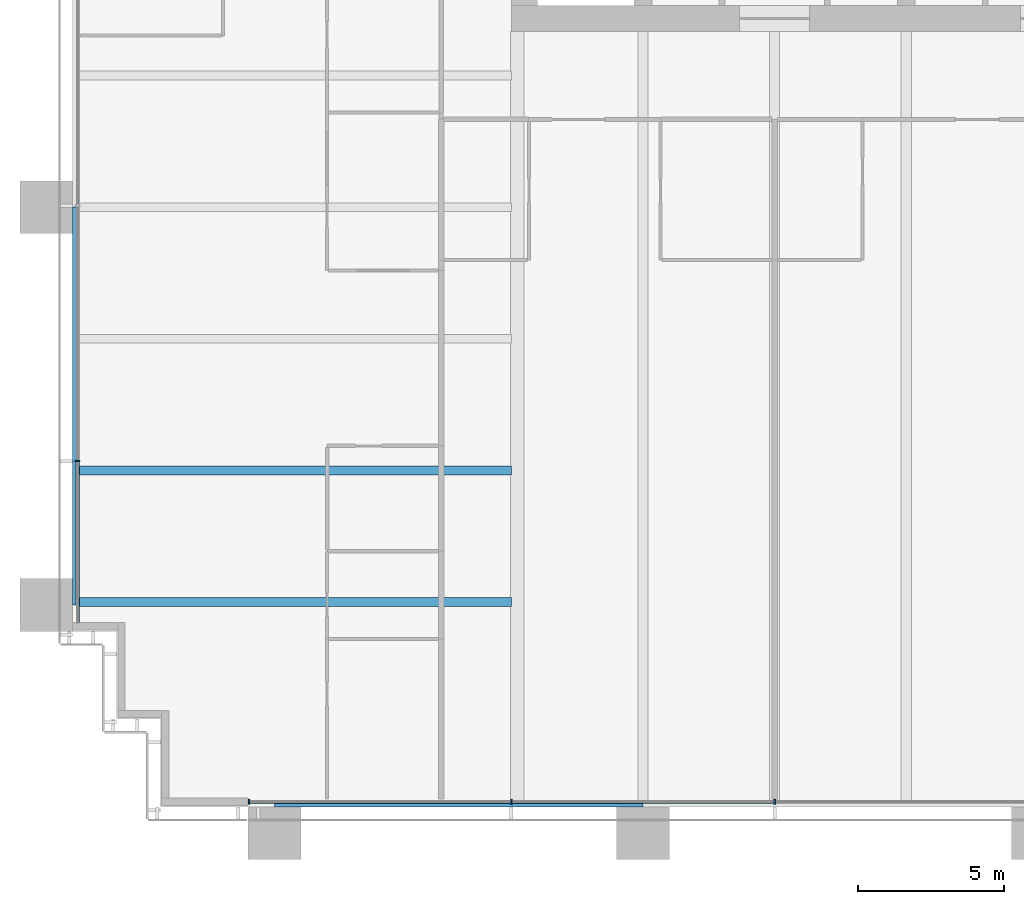
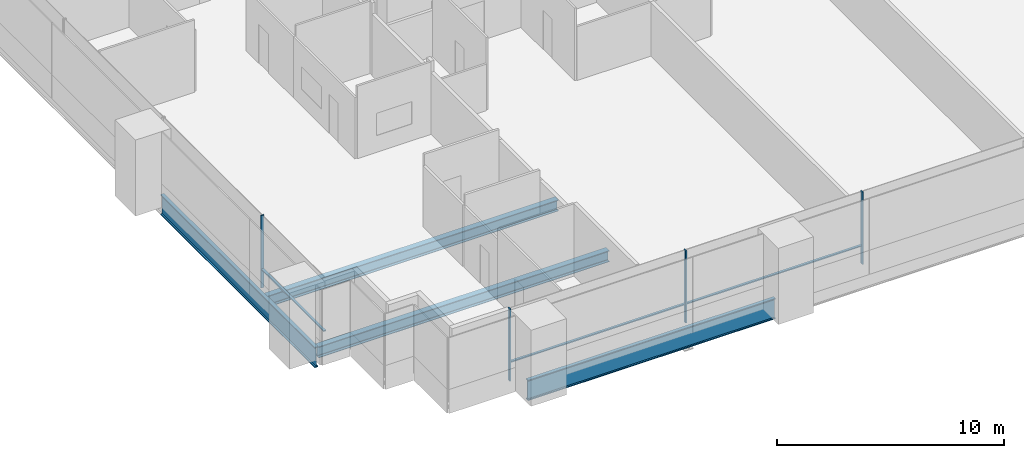
# One storey, part 2 of 20: 7 members, 4 beams, 2 elements without a shape of their own.
"""IFC4 building model written with IfcOpenShell, lengths in metres."""

import ifcopenshell
import ifcopenshell.guid

model = None  # the IFC model being written
_history = None  # IfcOwnerHistory: only IFC2X3 demands one
_inside = {}  # id of a spatial element -> (the spatial element, [elements in it])
_under = {}  # id of a project, library or spatial element -> (it, [spatial elements below it])
_declared = {}  # id of a project -> (the project, [libraries it declares])
_typed = {}  # id of a type object -> (the type object, [elements of that type])
_made_of = {}  # id of a material, layer set ... -> (it, [elements and type objects made of it])


def new_model(schema):
    """Start an empty IFC model of exactly this schema.

    Asked for "IFC4X3", IfcOpenShell would pick the latest addendum, in which some entities
    have other attributes; the version numbers below select the first issue.
    IFC2X3 requires an IfcOwnerHistory on every rooted entity: one is made here for all.
    """
    global model, _history
    if schema == "IFC4X3":
        model = ifcopenshell.file(schema_version=(4, 3, 0, 0))
    else:
        model = ifcopenshell.file(schema=schema)
    _inside.clear()
    _under.clear()
    _declared.clear()
    _typed.clear()
    _made_of.clear()
    _history = None
    if model.schema == "IFC2X3":
        org = make("IfcOrganization", Name="unknown")
        user = make(
            "IfcPersonAndOrganization",
            ThePerson=make("IfcPerson", FamilyName="unknown"),
            TheOrganization=org,
        )
        app = make(
            "IfcApplication",
            ApplicationDeveloper=org,
            Version="unknown",
            ApplicationFullName="unknown",
            ApplicationIdentifier="unknown",
        )
        _history = make(
            "IfcOwnerHistory",
            OwningUser=user,
            OwningApplication=app,
            ChangeAction="ADDED",
            CreationDate=0,
        )
    return model


def make(cls, **values):
    """One entity of the class cls with the attributes given. An attribute that is None is left unset."""
    return model.create_entity(
        cls, **{name: value for name, value in values.items() if value is not None}
    )


def rooted(cls, **values):
    """An entity with a GlobalId (a new one), such as an element, a storey or a relation."""
    return make(cls, GlobalId=ifcopenshell.guid.new(), OwnerHistory=_history, **values)


def si_unit(unit_type, name, prefix=None):
    """IfcSIUnit, for example si_unit("LENGTHUNIT", "METRE", prefix="MILLI")."""
    return make("IfcSIUnit", UnitType=unit_type, Prefix=prefix, Name=name)


def assignment(units):
    """IfcUnitAssignment: the units of a project."""
    return None if units is None else make("IfcUnitAssignment", Units=units)


def point(xyz):
    """IfcCartesianPoint."""
    return None if xyz is None else make("IfcCartesianPoint", Coordinates=xyz)


def direction(xyz):
    """IfcDirection."""
    return None if xyz is None else make("IfcDirection", DirectionRatios=xyz)


def frame(location, z_axis=None, x_axis=None):
    """IfcAxis2Placement3D, a coordinate frame: its origin and axes. An axis left out is left unset."""
    return make(
        "IfcAxis2Placement3D",
        Location=point(location),
        Axis=direction(z_axis),
        RefDirection=direction(x_axis),
    )


def frame_2d(location, x_axis=None):
    """IfcAxis2Placement2D, a coordinate frame in the plane: its origin and x axis."""
    return make(
        "IfcAxis2Placement2D", Location=point(location), RefDirection=direction(x_axis)
    )


def origin():
    """The frame at (0, 0, 0) with its axes left unset."""
    return frame((0.0, 0.0, 0.0))


def origin_2d():
    """The frame at (0, 0) in the plane with its x axis left unset."""
    return frame_2d((0.0, 0.0))


def place(relative_to, where):
    """IfcLocalPlacement: puts the frame where relative to a parent placement (None: the world)."""
    return make(
        "IfcLocalPlacement", PlacementRelTo=relative_to, RelativePlacement=where
    )


def context(
    kind, dimensions, precision=None, world=None, true_north=None, identifier=None
):
    """IfcGeometricRepresentationContext, for example the 3D "Model" context."""
    return make(
        "IfcGeometricRepresentationContext",
        ContextIdentifier=identifier,
        ContextType=kind,
        CoordinateSpaceDimension=dimensions,
        Precision=precision,
        WorldCoordinateSystem=world,
        TrueNorth=true_north,
    )


def subcontext(parent, identifier, kind, view, scale=None):
    """IfcGeometricRepresentationSubContext, for example "Body" below "Model"."""
    return make(
        "IfcGeometricRepresentationSubContext",
        ContextIdentifier=identifier,
        ContextType=kind,
        ParentContext=parent,
        TargetScale=scale,
        TargetView=view,
    )


def project(units=None, contexts=None):
    """IfcProject with its units and contexts."""
    return rooted(
        "IfcProject",
        Name="project",
        RepresentationContexts=contexts,
        UnitsInContext=assignment(units),
    )


def spatial(cls, under=None, at=None, **own):
    """A site, building, storey or space (cls), placed at a placement, below another one or the project."""
    s = rooted(cls, ObjectPlacement=at, **own)
    if under is not None:
        _under.setdefault(under.id(), (under, []))[1].append(s)
    return s


def profile(cls, at=None, kind="AREA", **sizes):
    """A parametric profile (cls). Its sizes go by their IFC names, for example OverallWidth=200.0."""
    return make(cls, ProfileType=kind, Position=at, **sizes)


def rectangle(**sizes):
    """IfcRectangleProfileDef."""
    return profile("IfcRectangleProfileDef", **sizes)


def i_section(**sizes):
    """IfcIShapeProfileDef."""
    return profile("IfcIShapeProfileDef", **sizes)


def extrude(swept, where, along, depth):
    """IfcExtrudedAreaSolid: the profile swept, set in the frame where, extruded along a direction by depth."""
    return make(
        "IfcExtrudedAreaSolid",
        SweptArea=swept,
        Position=where,
        ExtrudedDirection=direction(along),
        Depth=depth,
    )


def shape(context_of_items, identifier, shape_type, items):
    """IfcShapeRepresentation: the items that make up one representation, for example the "Body"."""
    return make(
        "IfcShapeRepresentation",
        ContextOfItems=context_of_items,
        RepresentationIdentifier=identifier,
        RepresentationType=shape_type,
        Items=items,
    )


def material(Name=None, Category=None):
    """IfcMaterial."""
    return make("IfcMaterial", Name=Name, Category=Category)


def material_profile(
    of_material, cross_section, Name=None, Category=None, Priority=None
):
    """IfcMaterialProfile: a cross section and its material."""
    return make(
        "IfcMaterialProfile",
        Name=Name,
        Material=of_material,
        Profile=cross_section,
        Priority=Priority,
        Category=Category,
    )


def profile_set(profiles, Name=None, composite=None):
    """IfcMaterialProfileSet."""
    return make(
        "IfcMaterialProfileSet",
        Name=Name,
        MaterialProfiles=profiles,
        CompositeProfile=composite,
    )


def made_of(thing, what):
    """Note that an element or type object is made of a material, layer set ...; save() writes the relation."""
    if what is not None:
        _made_of.setdefault(what.id(), (what, []))[1].append(thing)
    return thing


def type_object(cls, material=None, **own):
    """A type object (cls), such as IfcWallType, which elements share."""
    return made_of(rooted(cls, **own), material)


def element(
    cls,
    number,
    at=None,
    inside=None,
    cuts=None,
    type_object=None,
    material=None,
    context=None,
    identifier="Body",
    shape_type=None,
    held_by="IfcProductDefinitionShape",
    body=None,
    shapes=None,
    **own,
):
    """One element of the class cls, such as IfcWall. Its Tag is "e" and its number.

    at: its placement. inside: the storey or other place that contains it. cuts: it is an
    opening in that element (IfcRelVoidsElement). A single representation is given by context,
    identifier, shape_type and body (its items); several are given by shapes. held_by: the class
    of the entity that holds the representations. save() writes the other relations.
    """
    e = rooted(cls, Tag="e%d" % number, ObjectPlacement=at, **own)
    if body is not None:
        shapes = [shape(context, identifier, shape_type, body)]
    if shapes is not None:
        e.Representation = make(held_by, Representations=shapes)
    if inside is not None:
        _inside.setdefault(inside.id(), (inside, []))[1].append(e)
    if cuts is not None:
        rooted(
            "IfcRelVoidsElement", RelatingBuildingElement=cuts, RelatedOpeningElement=e
        )
    if type_object is not None:
        _typed.setdefault(type_object.id(), (type_object, []))[1].append(e)
    return made_of(e, material)


def aggregate(whole, parts):
    """IfcRelAggregates: a whole, such as a stair, and the parts it consists of."""
    return rooted("IfcRelAggregates", RelatingObject=whole, RelatedObjects=parts)


def save(model, path):
    """Write the relations noted so far, then the file.

    IfcRelAggregates (storeys below a building ...), IfcRelContainedInSpatialStructure (elements
    in a storey), IfcRelDefinesByType, IfcRelAssociatesMaterial and IfcRelDeclares: one each for
    every whole, place, type object, material and project.
    """
    for whole, parts in _under.values():
        aggregate(whole, parts)
    for where, things in _inside.values():
        rooted(
            "IfcRelContainedInSpatialStructure",
            RelatedElements=things,
            RelatingStructure=where,
        )
    for kind, things in _typed.values():
        rooted("IfcRelDefinesByType", RelatedObjects=things, RelatingType=kind)
    for what, things in _made_of.values():
        rooted("IfcRelAssociatesMaterial", RelatedObjects=things, RelatingMaterial=what)
    for by, libraries in _declared.values():
        rooted("IfcRelDeclares", RelatingContext=by, RelatedDefinitions=libraries)
    model.write(path)


model = new_model("IFC4")

# Units and contexts
model_context = context("Model", 3, precision=1e-05, world=origin(), true_north=direction((0.0, 1.0)))
body_context = subcontext(model_context, "Body", "Model", "MODEL_VIEW")
ifc_project = project(units=[si_unit("LENGTHUNIT", "METRE"), si_unit("AREAUNIT", "SQUARE_METRE"), si_unit("VOLUMEUNIT", "CUBIC_METRE"), si_unit("PLANEANGLEUNIT", "RADIAN"), si_unit("MASSUNIT", "GRAM", prefix="KILO")], contexts=[model_context])

# Site, building, storey
site_placement = place(None, origin())
site = spatial("IfcSite", under=ifc_project, at=site_placement, CompositionType="ELEMENT")
building_placement = place(site_placement, origin())
building = spatial("IfcBuilding", under=site, at=building_placement, Name="Rattan Terrace Tower", CompositionType="ELEMENT")
storey_placement = place(building_placement, frame((0.0, 0.0, 40.60009765625)))
storey = spatial("IfcBuildingStorey", under=building, at=storey_placement, Name="L08", CompositionType="ELEMENT", Elevation=40.60009765625)

# Curtain wall, member
ifc_material_1 = material(Name="Aluminium and glass", Category="aluminium")
curtain_wall_type = type_object("IfcCurtainWallType", Name="Facade Unitised Curtain Wall", PredefinedType="NOTDEFINED", material=ifc_material_1)
curtain_wall_1_placement = place(storey_placement, origin())
curtain_wall_1 = element("IfcCurtainWall", 1, at=curtain_wall_1_placement, inside=storey, type_object=curtain_wall_type, Name="Curtain wall L08-3", PredefinedType="NOTDEFINED")
ifc_material_2 = material(Name="Aluminium", Category="aluminium")
ifc_material_profile_1 = material_profile(ifc_material_2, rectangle(XDim=0.06005859375, YDim=0.159912109375, at=origin_2d()), Name="Aluminium 60x160")
ifc_profile_set_1 = profile_set([ifc_material_profile_1], Name="Aluminium")
member_type_1 = type_object("IfcMemberType", Name="Facade CW Mullion 60x160", PredefinedType="MULLION", material=ifc_profile_set_1)
member_1_placement = place(storey_placement, frame((-32.830078125, -22.180908203125, 0.0), z_axis=(0.0, 0.0, 1.0), x_axis=(0.0, -1.0, 0.0)))
member_1 = element("IfcMember", 2, at=member_1_placement, type_object=member_type_1, Name="Mullion cwl-L08-003.4", PredefinedType="MULLION", context=body_context, shape_type="SweptSolid", body=[
    extrude(rectangle(XDim=0.06005859375, YDim=0.159912109375, at=origin_2d()), origin(), (0.0, 0.0, 1.0), 3.89990234375),
])

# Curtain wall, members
curtain_wall_2_placement = place(storey_placement, origin())
curtain_wall_2 = element("IfcCurtainWall", 3, at=curtain_wall_2_placement, inside=storey, type_object=curtain_wall_type, Name="Curtain wall L08-4", PredefinedType="NOTDEFINED")
member_2_placement = place(storey_placement, frame((-26.969970703125, -33.830078125, 0.0), z_axis=(0.0, 0.0, 1.0), x_axis=(1.0, 0.0, 0.0)))
member_2 = element("IfcMember", 4, at=member_2_placement, type_object=member_type_1, Name="Mullion cwl-L08-004.1", PredefinedType="MULLION", context=body_context, shape_type="SweptSolid", body=[
    extrude(rectangle(XDim=0.06005859375, YDim=0.159912109375, at=origin_2d()), origin(), (0.0, 0.0, 1.0), 3.89990234375),
])
member_3_placement = place(storey_placement, frame((-18.0, -33.830078125, 0.0), z_axis=(0.0, 0.0, 1.0), x_axis=(1.0, 0.0, 0.0)))
member_3 = element("IfcMember", 5, at=member_3_placement, type_object=member_type_1, Name="Mullion cwl-L08-004.2", PredefinedType="MULLION", context=body_context, shape_type="SweptSolid", body=[
    extrude(rectangle(XDim=0.06005859375, YDim=0.159912109375, at=origin_2d()), origin(), (0.0, 0.0, 1.0), 3.89990234375),
])
member_4_placement = place(storey_placement, frame((-9.0, -33.830078125, 0.0), z_axis=(0.0, 0.0, 1.0), x_axis=(1.0, 0.0, 0.0)))
member_4 = element("IfcMember", 6, at=member_4_placement, type_object=member_type_1, Name="Mullion cwl-L08-004.3", PredefinedType="MULLION", context=body_context, shape_type="SweptSolid", body=[
    extrude(rectangle(XDim=0.06005859375, YDim=0.159912109375, at=origin_2d()), origin(), (0.0, 0.0, 1.0), 3.89990234375),
])

# Member
ifc_material_3 = material(Name="Aluminium", Category="aluminium")
ifc_material_profile_2 = material_profile(ifc_material_3, rectangle(XDim=0.1201171875, YDim=0.06005859375, at=origin_2d()), Name="Aluminium 120x60")
ifc_profile_set_2 = profile_set([ifc_material_profile_2], Name="Aluminium")
member_type_2 = type_object("IfcMemberType", Name="Facade CW Transom 120x60", PredefinedType="USERDEFINED", material=ifc_profile_set_2)
member_5_placement = place(storey_placement, frame((-32.830078125, -22.2109375, 1.0), z_axis=(0.0, -1.0, 0.0), x_axis=(1.0, 0.0, 0.0)))
member_5 = element("IfcMember", 7, at=member_5_placement, type_object=member_type_2, Name="Transom cwl-L08-003.4", ObjectType="TRANSOM", PredefinedType="USERDEFINED", context=body_context, shape_type="SweptSolid", body=[
    extrude(rectangle(XDim=0.1201171875, YDim=0.06005859375, at=origin_2d()), origin(), (0.0, 0.0, 1.0), 5.494140625),
])

aggregate(curtain_wall_1, [member_1, member_5])

member_6_placement = place(storey_placement, frame((-26.93994140625, -33.830078125, 1.0), z_axis=(1.0, 0.0, 0.0), x_axis=(0.0, 1.0, 0.0)))
member_6 = element("IfcMember", 8, at=member_6_placement, type_object=member_type_2, Name="Transom cwl-L08-004.1", ObjectType="TRANSOM", PredefinedType="USERDEFINED", context=body_context, shape_type="SweptSolid", body=[
    extrude(rectangle(XDim=0.1201171875, YDim=0.06005859375, at=origin_2d()), origin(), (0.0, 0.0, 1.0), 8.909912109375),
])

member_7_placement = place(storey_placement, frame((-17.969970703125, -33.830078125, 1.0), z_axis=(1.0, 0.0, 0.0), x_axis=(0.0, 1.0, 0.0)))
member_7 = element("IfcMember", 9, at=member_7_placement, type_object=member_type_2, Name="Transom cwl-L08-004.2", ObjectType="TRANSOM", PredefinedType="USERDEFINED", context=body_context, shape_type="SweptSolid", body=[
    extrude(rectangle(XDim=0.1201171875, YDim=0.06005859375, at=origin_2d()), origin(), (0.0, 0.0, 1.0), 8.93994140625),
])

aggregate(curtain_wall_2, [member_2, member_3, member_4, member_6, member_7])

# Beams
ifc_material_4 = material(Name="Steel S460", Category="steel")
ifc_material_profile_3 = material_profile(ifc_material_4, i_section(OverallWidth=0.179931640625, OverallDepth=1.10009765625, WebThickness=0.01611328125, FlangeThickness=0.050048828125, at=origin_2d()), Name="PG 1100x180-16-50")
ifc_profile_set_3 = profile_set([ifc_material_profile_3], Name="Steel S460")
beam_type_1 = type_object("IfcBeamType", Name="Frame edge girder PG 1100x180-16-50", PredefinedType="SPANDREL", material=ifc_profile_set_3)
beam_1_placement = place(storey_placement, frame((-26.10009765625, -33.909912109375, -0.75), z_axis=(1.0, 0.0, 0.0), x_axis=(0.0, 1.0, 0.0)))
element("IfcBeam", 10, at=beam_1_placement, inside=storey, type_object=beam_type_1, Name="gdr-L08-001", PredefinedType="SPANDREL", context=body_context, shape_type="SweptSolid", body=[
    extrude(i_section(OverallWidth=0.179931640625, OverallDepth=1.10009765625, WebThickness=0.01611328125, FlangeThickness=0.050048828125, at=origin_2d()), origin(), (0.0, 0.0, 1.0), 12.60009765625),
])
beam_2_placement = place(storey_placement, frame((-32.909912109375, -13.5, -0.75), z_axis=(0.0, -1.0, 0.0), x_axis=(1.0, 0.0, 0.0)))
element("IfcBeam", 11, at=beam_2_placement, inside=storey, type_object=beam_type_1, Name="gdr-L08-006", PredefinedType="SPANDREL", context=body_context, shape_type="SweptSolid", body=[
    extrude(i_section(OverallWidth=0.179931640625, OverallDepth=1.10009765625, WebThickness=0.01611328125, FlangeThickness=0.050048828125, at=origin_2d()), origin(), (0.0, 0.0, 1.0), 13.60009765625),
])
ifc_material_5 = material(Name="Steel S355", Category="steel")
ifc_material_profile_4 = material_profile(ifc_material_5, i_section(OverallWidth=0.300048828125, OverallDepth=0.60009765625, WebThickness=0.015380859375, FlangeThickness=0.030029296875, FilletRadius=0.027099609375, at=origin_2d()), Name="HE 600 B")
ifc_profile_set_4 = profile_set([ifc_material_profile_4], Name="Steel S355")
beam_type_2 = type_object("IfcBeamType", Name="Frame floor beam HE 600 B", PredefinedType="JOIST", material=ifc_profile_set_4)
for number, where, z_axis, x_axis, name in (
    (12, (-32.820068359375, -27.0, -0.5), (1.0, 0.0, 0.0), (0.0, 1.0, 0.0), "bm-L08-010"),
    (13, (-32.820068359375, -22.5, -0.5), (1.0, 0.0, 0.0), (0.0, 1.0, 0.0), "bm-L08-012"),
):
    element("IfcBeam", number, at=place(storey_placement, frame(where, z_axis=z_axis, x_axis=x_axis)), inside=storey, type_object=beam_type_2, Name=name, PredefinedType="JOIST", context=body_context, shape_type="SweptSolid", body=[
        extrude(i_section(OverallWidth=0.300048828125, OverallDepth=0.60009765625, WebThickness=0.015380859375, FlangeThickness=0.030029296875, FilletRadius=0.027099609375, at=origin_2d()), origin(), (0.0, 0.0, 1.0), 14.820068359375),
    ])

save(model, "model.ifc")
